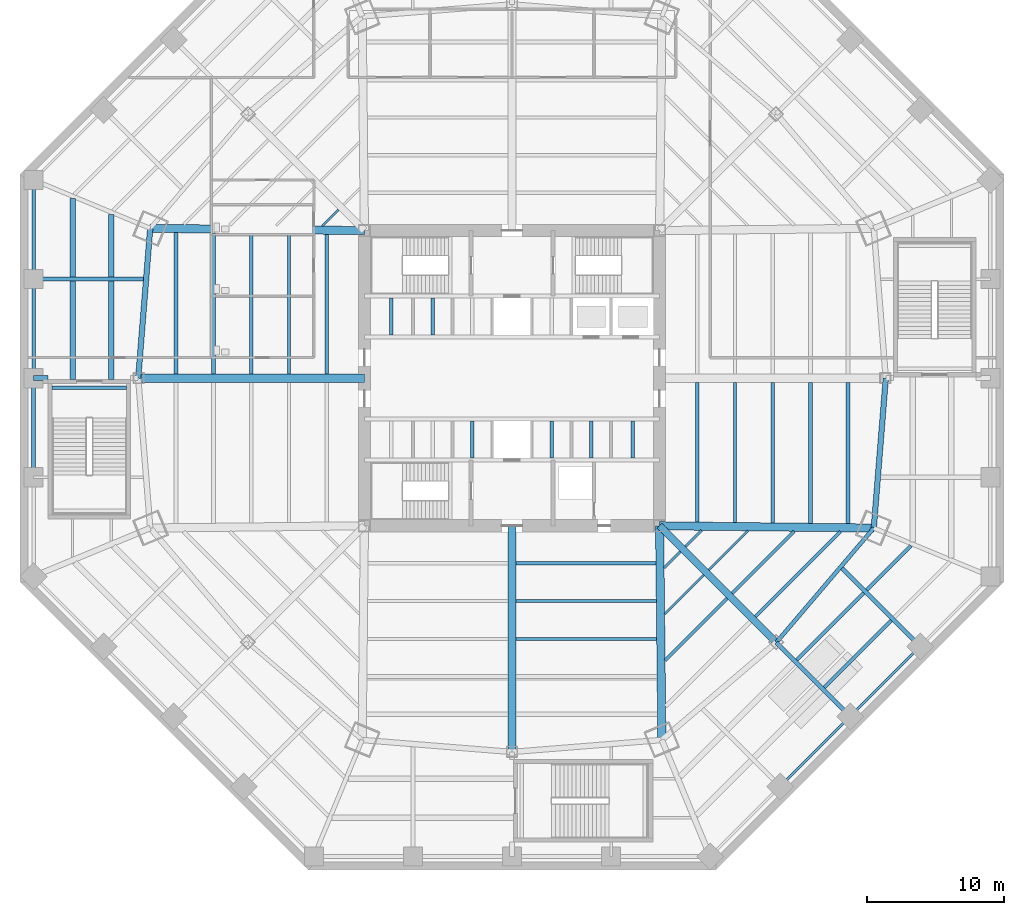
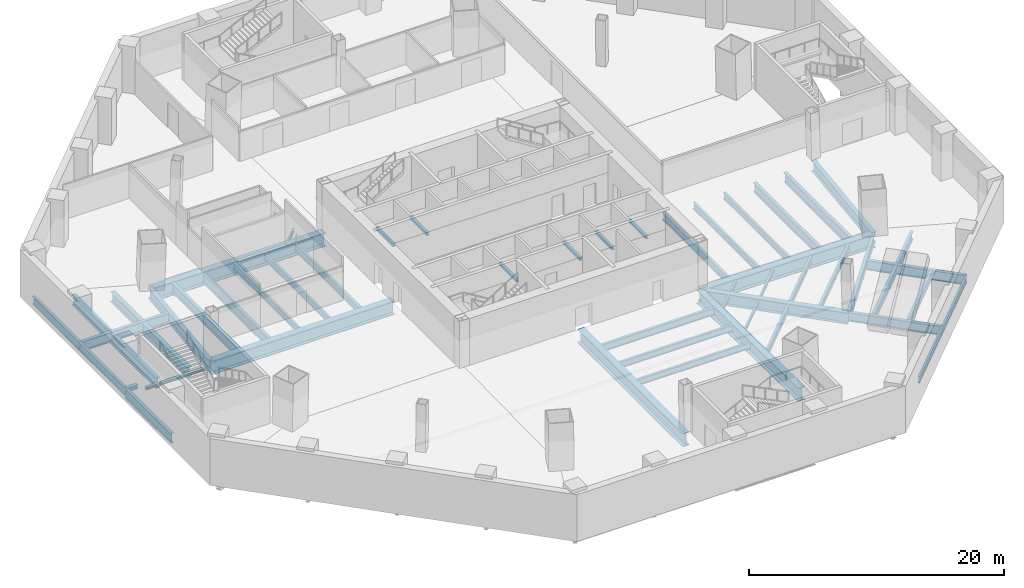
# One storey, part 3 of 15: 52 beams, 1 member.
"""IFC4 building model written with IfcOpenShell, lengths in metres."""

from ifc_helpers import new_model, si_unit, direction, frame, origin, origin_2d, place, context, subcontext, project, spatial, i_section, extrude, source, transform, mapped, material, material_profile, profile_set, type_object, type_shapes, element, save


model = new_model("IFC4")

# Units and contexts
model_context = context("Model", 3, precision=1e-05, world=origin(), true_north=direction((0.0, 1.0)))
body_context = subcontext(model_context, "Body", "Model", "MODEL_VIEW")
ifc_project = project(units=[si_unit("LENGTHUNIT", "METRE"), si_unit("AREAUNIT", "SQUARE_METRE"), si_unit("VOLUMEUNIT", "CUBIC_METRE"), si_unit("PLANEANGLEUNIT", "RADIAN"), si_unit("MASSUNIT", "GRAM", prefix="KILO")], contexts=[model_context])

# Site, building, storey
site_placement = place(None, origin())
site = spatial("IfcSite", under=ifc_project, at=site_placement, CompositionType="ELEMENT")
building_placement = place(site_placement, origin())
building = spatial("IfcBuilding", under=site, at=building_placement, Name="Mashrafa Tower", CompositionType="ELEMENT")
storey_placement = place(building_placement, frame((0.0, 0.0, -4.5)))
storey = spatial("IfcBuildingStorey", under=building, at=storey_placement, Name="B1", CompositionType="ELEMENT", Elevation=-4.5)

# Beams
ifc_material_1 = material(Name="Steel ASTM A572 Gr 50", Category="steel")
ifc_material_profile_1 = material_profile(ifc_material_1, i_section(OverallWidth=0.5, OverallDepth=1.10009765625, WebThickness=0.02490234375, FlangeThickness=0.050048828125, at=origin_2d()), Name="H1100X500X25X50")
ifc_profile_set_1 = profile_set([ifc_material_profile_1], Name="Steel ASTM A572 Gr 50")
beam_type_1 = type_object("IfcBeamType", Name="Beam H1100X500X25X50", PredefinedType="BEAM", material=ifc_profile_set_1)
beam_1_placement = place(storey_placement, frame((10.800048828125, -10.800048828125, -0.85009765625), z_axis=(0.707106781187, -0.707106781187, 0.0), x_axis=(0.707106781187, 0.707106781187, 0.0)))
element("IfcBeam", 1, at=beam_1_placement, inside=storey, type_object=beam_type_1, Name="Radial girder B1 203", PredefinedType="BEAM", context=body_context, shape_type="SweptSolid", body=[
    extrude(i_section(OverallWidth=0.5, OverallDepth=1.10009765625, WebThickness=0.02490234375, FlangeThickness=0.050048828125, at=origin_2d()), origin(), (0.0, 0.0, 1.0), 12.07666015625),
])
ifc_material_2 = material(Name="Steel ASTM A572 Gr 50", Category="steel")
ifc_material_profile_2 = material_profile(ifc_material_2, i_section(OverallWidth=0.60009765625, OverallDepth=1.300048828125, WebThickness=0.028076171875, FlangeThickness=0.06494140625, at=origin_2d()), Name="H1300X600X28X65")
ifc_profile_set_2 = profile_set([ifc_material_profile_2], Name="Steel ASTM A572 Gr 50")
beam_type_2 = type_object("IfcBeamType", Name="Beam H1300X600X28X65", PredefinedType="BEAM", material=ifc_profile_set_2)
beam_2_placement = place(storey_placement, frame((-10.800048828125, 0.0, -0.949951171875), z_axis=(-1.0, 0.0, 0.0), x_axis=(0.0, -1.0, 0.0)))
element("IfcBeam", 2, at=beam_2_placement, inside=storey, type_object=beam_type_2, Name="Radial girder B1 196", PredefinedType="BEAM", context=body_context, shape_type="SweptSolid", body=[
    extrude(i_section(OverallWidth=0.60009765625, OverallDepth=1.300048828125, WebThickness=0.028076171875, FlangeThickness=0.06494140625, at=origin_2d()), origin(), (0.0, 0.0, 1.0), 16.550537109375),
])
beam_3_placement = place(storey_placement, frame((-10.800048828125, 10.800048828125, -0.949951171875), z_axis=(-0.999944558062, 0.010529995346, 0.0), x_axis=(-0.010529995346, -0.999944558062, 0.0)))
element("IfcBeam", 3, at=beam_3_placement, inside=storey, type_object=beam_type_2, Name="Radial girder B1 197", PredefinedType="BEAM", context=body_context, shape_type="SweptSolid", body=[
    extrude(i_section(OverallWidth=0.60009765625, OverallDepth=1.300048828125, WebThickness=0.028076171875, FlangeThickness=0.06494140625, at=origin_2d()), origin(), (0.0, 0.0, 1.0), 15.67333984375),
])
beam_4_placement = place(storey_placement, frame((0.0, -10.800048828125, -0.949951171875), z_axis=(0.0, -1.0, 0.0), x_axis=(1.0, 0.0, 0.0)))
element("IfcBeam", 4, at=beam_4_placement, inside=storey, type_object=beam_type_2, Name="Radial girder B1 200", PredefinedType="BEAM", context=body_context, shape_type="SweptSolid", body=[
    extrude(i_section(OverallWidth=0.60009765625, OverallDepth=1.300048828125, WebThickness=0.028076171875, FlangeThickness=0.06494140625, at=origin_2d()), origin(), (0.0, 0.0, 1.0), 16.550537109375),
])
for number, where, z_axis, x_axis, name in (
    (5, (10.800048828125, -10.800048828125, -0.949951171875), (0.010529995346, -0.999944558062, 0.0), (0.999944558062, 0.010529995346, 0.0), "Radial girder B1 202"),
    (6, (10.800048828125, -10.800048828125, -0.949951171875), (0.999944558062, -0.010529995346, 0.0), (0.010529995346, 0.999944558062, 0.0), "Radial girder B1 204"),
):
    element("IfcBeam", number, at=place(storey_placement, frame(where, z_axis=z_axis, x_axis=x_axis)), inside=storey, type_object=beam_type_2, Name=name, PredefinedType="BEAM", context=body_context, shape_type="SweptSolid", body=[
        extrude(i_section(OverallWidth=0.60009765625, OverallDepth=1.300048828125, WebThickness=0.028076171875, FlangeThickness=0.06494140625, at=origin_2d()), origin(), (0.0, 0.0, 1.0), 15.67333984375),
    ])
ifc_material_3 = material(Name="Steel ASTM A992", Category="steel")
ifc_material_profile_3 = material_profile(ifc_material_3, i_section(OverallWidth=0.164794921875, OverallDepth=0.309814453125, WebThickness=0.005859375, FlangeThickness=0.009765625, FilletRadius=0.007568359375, at=origin_2d()), Name="W12X26")
ifc_profile_set_3 = profile_set([ifc_material_profile_3], Name="Steel ASTM A992")
beam_type_3 = type_object("IfcBeamType", Name="Beam W12X26", PredefinedType="BEAM", material=ifc_profile_set_3)
for number, where, z_axis, x_axis, name in (
    (7, (-13.88330078125, 11.132568359375, -0.454833984375), (0.707106781187, 0.707106781187, 0.0), (-0.707106781187, 0.707106781187, 0.0), "Floor beam B1 028"),
    (8, (12.3310546875, -12.684814453125, -0.454833984375), (-0.707106781187, -0.707106781187, 0.0), (0.707106781187, -0.707106781187, 0.0), "Floor beam B1 071"),
    (9, (13.88330078125, -11.132568359375, -0.454833984375), (-0.707106781187, -0.707106781187, 0.0), (0.707106781187, -0.707106781187, 0.0), "Floor beam B1 077"),
):
    element("IfcBeam", number, at=place(storey_placement, frame(where, z_axis=z_axis, x_axis=x_axis)), inside=storey, type_object=beam_type_3, Name=name, PredefinedType="BEAM", context=body_context, shape_type="SweptSolid", body=[
        extrude(i_section(OverallWidth=0.164794921875, OverallDepth=0.309814453125, WebThickness=0.005859375, FlangeThickness=0.009765625, FilletRadius=0.007568359375, at=origin_2d()), origin(), (0.0, 0.0, 1.0), 1.69482421875),
    ])
for number, where, z_axis, x_axis, name in (
    (10, (14.0390625, -14.392578125, -0.454833984375), (-0.707076715205, -0.707136845889, 0.0), (0.707136845889, -0.707076715205, 0.0), "Floor beam B1 078"),
    (11, (17.263671875, -11.168212890625, -0.454833984375), (-0.707136845889, -0.707076715205, 0.0), (0.707076715205, -0.707136845889, 0.0), "Floor beam B1 084"),
):
    element("IfcBeam", number, at=place(storey_placement, frame(where, z_axis=z_axis, x_axis=x_axis)), inside=storey, type_object=beam_type_3, Name=name, PredefinedType="BEAM", context=body_context, shape_type="SweptSolid", body=[
        extrude(i_section(OverallWidth=0.164794921875, OverallDepth=0.309814453125, WebThickness=0.005859375, FlangeThickness=0.009765625, FilletRadius=0.007568359375, at=origin_2d()), origin(), (0.0, 0.0, 1.0), 4.06005859375),
    ])
ifc_material_4 = material(Name="Steel ASTM A992", Category="steel")
ifc_material_profile_4 = material_profile(ifc_material_4, i_section(OverallWidth=0.177978515625, OverallDepth=0.599365234375, WebThickness=0.010009765625, FlangeThickness=0.012939453125, FilletRadius=0.012939453125, at=origin_2d()), Name="W24X55")
ifc_profile_set_4 = profile_set([ifc_material_profile_4], Name="Steel ASTM A992")
beam_type_4 = type_object("IfcBeamType", Name="Beam W24X55", PredefinedType="BEAM", material=ifc_profile_set_4)
for number, where, z_axis, x_axis, name in (
    (12, (19.623046875, -29.87451171875, -0.599609375), (0.707106781187, 0.707106781187, 0.0), (-0.707106781187, 0.707106781187, 0.0), "Podium edge beam B1 126"),
    (13, (24.748779296875, -24.748779296875, -0.599609375), (0.707106781187, 0.707106781187, 0.0), (-0.707106781187, 0.707106781187, 0.0), "Podium edge beam B1 128"),
):
    element("IfcBeam", number, at=place(storey_placement, frame(where, z_axis=z_axis, x_axis=x_axis)), inside=storey, type_object=beam_type_4, Name=name, PredefinedType="BEAM", context=body_context, shape_type="SweptSolid", body=[
        extrude(i_section(OverallWidth=0.177978515625, OverallDepth=0.599365234375, WebThickness=0.010009765625, FlangeThickness=0.012939453125, FilletRadius=0.012939453125, at=origin_2d()), origin(), (0.0, 0.0, 1.0), 7.248779296875),
    ])
ifc_material_5 = material(Name="Steel ASTM A992", Category="steel")
ifc_material_profile_5 = material_profile(ifc_material_5, i_section(OverallWidth=0.227783203125, OverallDepth=0.60205078125, WebThickness=0.010498046875, FlangeThickness=0.014892578125, FilletRadius=0.012939453125, at=origin_2d()), Name="W24X68")
ifc_profile_set_5 = profile_set([ifc_material_profile_5], Name="Steel ASTM A992")
beam_type_5 = type_object("IfcBeamType", Name="Beam W24X68", PredefinedType="BEAM", material=ifc_profile_set_5)
beam_5_placement = place(storey_placement, frame((24.024169921875, -11.239501953125, -0.60107421875), z_axis=(-0.707106781187, -0.707106781187, 0.0), x_axis=(0.707106781187, -0.707106781187, 0.0)))
element("IfcBeam", 14, at=beam_5_placement, inside=storey, type_object=beam_type_5, Name="Floor beam B1 096", PredefinedType="BEAM", context=body_context, shape_type="SweptSolid", body=[
    extrude(i_section(OverallWidth=0.227783203125, OverallDepth=0.60205078125, WebThickness=0.010498046875, FlangeThickness=0.014892578125, FilletRadius=0.012939453125, at=origin_2d()), origin(), (0.0, 0.0, 1.0), 8.7900390625),
])
ifc_material_6 = material(Name="Steel ASTM A992", Category="steel")
ifc_material_profile_6 = material_profile(ifc_material_6, i_section(OverallWidth=0.228271484375, OverallDepth=0.607177734375, WebThickness=0.01123046875, FlangeThickness=0.017333984375, FilletRadius=0.0126953125, at=origin_2d()), Name="W24X76")
ifc_profile_set_6 = profile_set([ifc_material_profile_6], Name="Steel ASTM A992")
beam_type_6 = type_object("IfcBeamType", Name="Beam W24X76", PredefinedType="BEAM", material=ifc_profile_set_6)
beam_6_placement = place(storey_placement, frame((-19.0751953125, 0.300048828125, -0.603515625), z_axis=(0.0, 1.0, 0.0), x_axis=(-1.0, 0.0, 0.0)))
element("IfcBeam", 15, at=beam_6_placement, inside=storey, type_object=beam_type_6, Name="Floor beam B1 018", PredefinedType="BEAM", context=body_context, shape_type="SweptSolid", body=[
    extrude(i_section(OverallWidth=0.228271484375, OverallDepth=0.607177734375, WebThickness=0.01123046875, FlangeThickness=0.017333984375, FilletRadius=0.0126953125, at=origin_2d()), origin(), (0.0, 0.0, 1.0), 10.287109375),
])
for number, where, z_axis, x_axis, name in (
    (16, (-16.31689453125, 0.300048828125, -0.603515625), (0.0, 1.0, 0.0), (-1.0, 0.0, 0.0), "Floor beam B1 023"),
    (17, (10.55810546875, -16.31689453125, -0.603515625), (-1.0, 0.0, 0.0), (0.0, -1.0, 0.0), "Floor beam B1 062"),
):
    element("IfcBeam", number, at=place(storey_placement, frame(where, z_axis=z_axis, x_axis=x_axis)), inside=storey, type_object=beam_type_6, Name=name, PredefinedType="BEAM", context=body_context, shape_type="SweptSolid", body=[
        extrude(i_section(OverallWidth=0.228271484375, OverallDepth=0.607177734375, WebThickness=0.01123046875, FlangeThickness=0.017333984375, FilletRadius=0.0126953125, at=origin_2d()), origin(), (0.0, 0.0, 1.0), 10.258056640625),
    ])
beam_7_placement = place(storey_placement, frame((10.587158203125, -19.0751953125, -0.603515625), z_axis=(-1.0, 0.0, 0.0), x_axis=(0.0, -1.0, 0.0)))
element("IfcBeam", 18, at=beam_7_placement, inside=storey, type_object=beam_type_6, Name="Floor beam B1 064", PredefinedType="BEAM", context=body_context, shape_type="SweptSolid", body=[
    extrude(i_section(OverallWidth=0.228271484375, OverallDepth=0.607177734375, WebThickness=0.01123046875, FlangeThickness=0.017333984375, FilletRadius=0.0126953125, at=origin_2d()), origin(), (0.0, 0.0, 1.0), 10.287109375),
])
beam_8_placement = place(storey_placement, frame((15.7470703125, -16.1005859375, -0.603515625), z_axis=(-0.707106781187, -0.707106781187, 0.0), x_axis=(0.707106781187, -0.707106781187, 0.0)))
element("IfcBeam", 19, at=beam_8_placement, inside=storey, type_object=beam_type_6, Name="Floor beam B1 080", PredefinedType="BEAM", context=body_context, shape_type="SweptSolid", body=[
    extrude(i_section(OverallWidth=0.228271484375, OverallDepth=0.607177734375, WebThickness=0.01123046875, FlangeThickness=0.017333984375, FilletRadius=0.0126953125, at=origin_2d()), origin(), (0.0, 0.0, 1.0), 6.425048828125),
])
beam_9_placement = place(storey_placement, frame((16.31689453125, -0.300048828125, -0.603515625), z_axis=(0.0, -1.0, 0.0), x_axis=(1.0, 0.0, 0.0)))
element("IfcBeam", 20, at=beam_9_placement, inside=storey, type_object=beam_type_6, Name="Floor beam B1 082", PredefinedType="BEAM", context=body_context, shape_type="SweptSolid", body=[
    extrude(i_section(OverallWidth=0.228271484375, OverallDepth=0.607177734375, WebThickness=0.01123046875, FlangeThickness=0.017333984375, FilletRadius=0.0126953125, at=origin_2d()), origin(), (0.0, 0.0, 1.0), 10.258056640625),
])
beam_10_placement = place(storey_placement, frame((19.0751953125, -0.300048828125, -0.603515625), z_axis=(0.0, -1.0, 0.0), x_axis=(1.0, 0.0, 0.0)))
element("IfcBeam", 21, at=beam_10_placement, inside=storey, type_object=beam_type_6, Name="Floor beam B1 087", PredefinedType="BEAM", context=body_context, shape_type="SweptSolid", body=[
    extrude(i_section(OverallWidth=0.228271484375, OverallDepth=0.607177734375, WebThickness=0.01123046875, FlangeThickness=0.017333984375, FilletRadius=0.0126953125, at=origin_2d()), origin(), (0.0, 0.0, 1.0), 10.287109375),
])
beam_11_placement = place(storey_placement, frame((20.643798828125, -11.203857421875, -0.603515625), z_axis=(-0.707106781187, -0.707106781187, 0.0), x_axis=(0.707106781187, -0.707106781187, 0.0)))
element("IfcBeam", 22, at=beam_11_placement, inside=storey, type_object=beam_type_6, Name="Floor beam B1 091", PredefinedType="BEAM", context=body_context, shape_type="SweptSolid", body=[
    extrude(i_section(OverallWidth=0.228271484375, OverallDepth=0.607177734375, WebThickness=0.01123046875, FlangeThickness=0.017333984375, FilletRadius=0.0126953125, at=origin_2d()), origin(), (0.0, 0.0, 1.0), 6.425048828125),
])
ifc_material_7 = material(Name="Steel ASTM A992", Category="steel")
ifc_material_profile_7 = material_profile(ifc_material_7, i_section(OverallWidth=0.25390625, OverallDepth=0.683349609375, WebThickness=0.012451171875, FlangeThickness=0.01904296875, FilletRadius=0.01513671875, at=origin_2d()), Name="W27X94")
ifc_profile_set_7 = profile_set([ifc_material_profile_7], Name="Steel ASTM A992")
beam_type_7 = type_object("IfcBeamType", Name="Beam W27X94", PredefinedType="BEAM", material=ifc_profile_set_7)
for number, where, z_axis, x_axis, name in (
    (23, (-13.558349609375, 0.300048828125, -0.6416015625), (0.0, 1.0, 0.0), (-1.0, 0.0, 0.0), "Floor beam B1 030"),
    (24, (10.529052734375, -13.558349609375, -0.6416015625), (-1.0, 0.0, 0.0), (0.0, -1.0, 0.0), "Floor beam B1 060"),
    (25, (13.558349609375, -0.300048828125, -0.6416015625), (0.0, -1.0, 0.0), (1.0, 0.0, 0.0), "Floor beam B1 075"),
):
    element("IfcBeam", number, at=place(storey_placement, frame(where, z_axis=z_axis, x_axis=x_axis)), inside=storey, type_object=beam_type_7, Name=name, PredefinedType="BEAM", context=body_context, shape_type="SweptSolid", body=[
        extrude(i_section(OverallWidth=0.25390625, OverallDepth=0.683349609375, WebThickness=0.012451171875, FlangeThickness=0.01904296875, FilletRadius=0.01513671875, at=origin_2d()), origin(), (0.0, 0.0, 1.0), 10.22900390625),
    ])
ifc_material_8 = material(Name="Steel ASTM A992", Category="steel")
ifc_material_profile_8 = material_profile(ifc_material_8, i_section(OverallWidth=0.2666015625, OverallDepth=0.75439453125, WebThickness=0.01318359375, FlangeThickness=0.01708984375, FilletRadius=0.0166015625, at=origin_2d()), Name="W30X99")
ifc_profile_set_8 = profile_set([ifc_material_profile_8], Name="Steel ASTM A992")
beam_type_8 = type_object("IfcBeamType", Name="Beam W30X99", PredefinedType="BEAM", material=ifc_profile_set_8)
beam_12_placement = place(storey_placement, frame((29.197265625, -12.26025390625, -0.67724609375), z_axis=(-0.707106781187, -0.707106781187, 0.0), x_axis=(0.707106781187, -0.707106781187, 0.0)))
element("IfcBeam", 26, at=beam_12_placement, inside=storey, type_object=beam_type_8, Name="Floor beam B1 099 part 1", PredefinedType="BEAM", context=body_context, shape_type="SweptSolid", body=[
    extrude(i_section(OverallWidth=0.2666015625, OverallDepth=0.75439453125, WebThickness=0.01318359375, FlangeThickness=0.01708984375, FilletRadius=0.0166015625, at=origin_2d()), origin(), (0.0, 0.0, 1.0), 4.57373046875),
])
beam_13_placement = place(storey_placement, frame((25.74560546875, -15.7119140625, -0.67724609375), z_axis=(-0.707106781187, -0.707106781187, 0.0), x_axis=(0.707106781187, -0.707106781187, 0.0)))
element("IfcBeam", 27, at=beam_13_placement, inside=storey, type_object=beam_type_8, Name="Floor beam B1 099 part 2", PredefinedType="BEAM", context=body_context, shape_type="SweptSolid", body=[
    extrude(i_section(OverallWidth=0.2666015625, OverallDepth=0.75439453125, WebThickness=0.01318359375, FlangeThickness=0.01708984375, FilletRadius=0.0166015625, at=origin_2d()), origin(), (0.0, 0.0, 1.0), 6.94873046875),
])
beam_14_placement = place(storey_placement, frame((27.755615234375, -17.7216796875, -0.67724609375), z_axis=(-0.707089214407, -0.707124347529, 0.0), x_axis=(0.707124347529, -0.707089214407, 0.0)))
element("IfcBeam", 28, at=beam_14_placement, inside=storey, type_object=beam_type_8, Name="Floor beam B1 102 part 2", PredefinedType="BEAM", context=body_context, shape_type="SweptSolid", body=[
    extrude(i_section(OverallWidth=0.2666015625, OverallDepth=0.75439453125, WebThickness=0.01318359375, FlangeThickness=0.01708984375, FilletRadius=0.0166015625, at=origin_2d()), origin(), (0.0, 0.0, 1.0), 6.948974609375),
])
for number, where, z_axis, x_axis, name in (
    (29, (-35.0, 7.248779296875, -0.67724609375), (0.0, -1.0, 0.0), (1.0, 0.0, 0.0), "Podium edge beam B1 108"),
    (30, (-35.0, 14.49755859375, -0.67724609375), (0.0, -1.0, 0.0), (1.0, 0.0, 0.0), "Podium edge beam B1 109"),
):
    element("IfcBeam", number, at=place(storey_placement, frame(where, z_axis=z_axis, x_axis=x_axis)), inside=storey, type_object=beam_type_8, Name=name, PredefinedType="BEAM", context=body_context, shape_type="SweptSolid", body=[
        extrude(i_section(OverallWidth=0.2666015625, OverallDepth=0.75439453125, WebThickness=0.01318359375, FlangeThickness=0.01708984375, FilletRadius=0.0166015625, at=origin_2d()), origin(), (0.0, 0.0, 1.0), 7.248779296875),
    ])
ifc_material_9 = material(Name="Steel ASTM A992", Category="steel")
ifc_material_profile_9 = material_profile(ifc_material_9, i_section(OverallWidth=0.2919921875, OverallDepth=0.8408203125, WebThickness=0.0146484375, FlangeThickness=0.021728515625, FilletRadius=0.017333984375, at=origin_2d()), Name="W33X130")
ifc_profile_set_9 = profile_set([ifc_material_profile_9], Name="Steel ASTM A992")
beam_type_9 = type_object("IfcBeamType", Name="Beam W33X130", PredefinedType="BEAM", material=ifc_profile_set_9)
beam_15_placement = place(storey_placement, frame((19.339599609375, -19.339599609375, -0.720458984375), z_axis=(0.648412151633, 0.76128948608, 0.0), x_axis=(-0.76128948608, 0.648412151633, 0.0)))
element("IfcBeam", 31, at=beam_15_placement, inside=storey, type_object=beam_type_9, Name="Podium ring girder B1 188", PredefinedType="BEAM", context=body_context, shape_type="SweptSolid", body=[
    extrude(i_section(OverallWidth=0.2919921875, OverallDepth=0.8408203125, WebThickness=0.0146484375, FlangeThickness=0.021728515625, FilletRadius=0.017333984375, at=origin_2d()), origin(), (0.0, 0.0, 1.0), 11.00048828125),
])
ifc_material_10 = material(Name="Steel ASTM A992", Category="steel")
ifc_material_profile_10 = material_profile(ifc_material_10, i_section(OverallWidth=0.2919921875, OverallDepth=0.8583984375, WebThickness=0.01708984375, FlangeThickness=0.031005859375, FilletRadius=0.017822265625, at=origin_2d()), Name="W33X169")
ifc_profile_set_10 = profile_set([ifc_material_profile_10], Name="Steel ASTM A992")
beam_type_10 = type_object("IfcBeamType", Name="Beam W33X169", PredefinedType="BEAM", material=ifc_profile_set_10)
beam_16_placement = place(storey_placement, frame((19.339599609375, -19.339599609375, -0.729248046875), z_axis=(0.707106781187, -0.707106781187, 0.0), x_axis=(0.707106781187, 0.707106781187, 0.0)))
element("IfcBeam", 32, at=beam_16_placement, inside=storey, type_object=beam_type_10, Name="Podium radial beam B1 166", PredefinedType="BEAM", context=body_context, shape_type="SweptSolid", body=[
    extrude(i_section(OverallWidth=0.2919921875, OverallDepth=0.8583984375, WebThickness=0.01708984375, FlangeThickness=0.031005859375, FilletRadius=0.017822265625, at=origin_2d()), origin(), (0.0, 0.0, 1.0), 7.649658203125),
])
ifc_material_11 = material(Name="Steel ASTM A992", Category="steel")
ifc_material_profile_11 = material_profile(ifc_material_11, i_section(OverallWidth=0.3046875, OverallDepth=0.911865234375, WebThickness=0.015869140625, FlangeThickness=0.02392578125, FilletRadius=0.01904296875, at=origin_2d()), Name="W36X150")
ifc_profile_set_11 = profile_set([ifc_material_profile_11], Name="Steel ASTM A992")
beam_type_11 = type_object("IfcBeamType", Name="Beam W36X150", PredefinedType="BEAM", material=ifc_profile_set_11)
for number, where, z_axis, x_axis, name in (
    (33, (-21.833740234375, 0.300048828125, -0.755859375), (0.0, 1.0, 0.0), (-1.0, 0.0, 0.0), "Floor beam B1 013"),
    (34, (21.833740234375, -0.300048828125, -0.755859375), (0.0, -1.0, 0.0), (1.0, 0.0, 0.0), "Floor beam B1 092"),
):
    element("IfcBeam", number, at=place(storey_placement, frame(where, z_axis=z_axis, x_axis=x_axis)), inside=storey, type_object=beam_type_11, Name=name, PredefinedType="BEAM", context=body_context, shape_type="SweptSolid", body=[
        extrude(i_section(OverallWidth=0.3046875, OverallDepth=0.911865234375, WebThickness=0.015869140625, FlangeThickness=0.02392578125, FilletRadius=0.01904296875, at=origin_2d()), origin(), (0.0, 0.0, 1.0), 10.316162109375),
    ])
beam_17_placement = place(storey_placement, frame((-35.0, 0.0, -0.755859375), z_axis=(0.0, -1.0, 0.0), x_axis=(1.0, 0.0, 0.0)))
element("IfcBeam", 35, at=beam_17_placement, inside=storey, type_object=beam_type_11, Name="Podium edge beam B1 107", PredefinedType="BEAM", context=body_context, shape_type="SweptSolid", body=[
    extrude(i_section(OverallWidth=0.3046875, OverallDepth=0.911865234375, WebThickness=0.015869140625, FlangeThickness=0.02392578125, FilletRadius=0.01904296875, at=origin_2d()), origin(), (0.0, 0.0, 1.0), 7.248779296875),
])
ifc_material_12 = material(Name="Steel ASTM A992", Category="steel")
ifc_material_profile_12 = material_profile(ifc_material_12, i_section(OverallWidth=0.307373046875, OverallDepth=0.927001953125, WebThickness=0.01953125, FlangeThickness=0.031982421875, FilletRadius=0.01904296875, at=origin_2d()), Name="W36X194")
ifc_profile_set_12 = profile_set([ifc_material_profile_12], Name="Steel ASTM A992")
beam_type_12 = type_object("IfcBeamType", Name="Beam W36X194", PredefinedType="BEAM", material=ifc_profile_set_12)
for number, where, z_axis, x_axis, name in (
    (36, (-24.592041015625, 0.300048828125, -0.763671875), (0.0, 1.0, 0.0), (-1.0, 0.0, 0.0), "Floor beam B1 008"),
    (37, (24.592041015625, -0.300048828125, -0.763671875), (0.0, -1.0, 0.0), (1.0, 0.0, 0.0), "Floor beam B1 097"),
):
    element("IfcBeam", number, at=place(storey_placement, frame(where, z_axis=z_axis, x_axis=x_axis)), inside=storey, type_object=beam_type_12, Name=name, PredefinedType="BEAM", context=body_context, shape_type="SweptSolid", body=[
        extrude(i_section(OverallWidth=0.307373046875, OverallDepth=0.927001953125, WebThickness=0.01953125, FlangeThickness=0.031982421875, FilletRadius=0.01904296875, at=origin_2d()), origin(), (0.0, 0.0, 1.0), 10.345458984375),
    ])
beam_18_placement = place(storey_placement, frame((-26.97119140625, 7.248779296875, -0.763671875), z_axis=(-1.0, 0.0, 0.0), x_axis=(0.0, -1.0, 0.0)))
element("IfcBeam", 38, at=beam_18_placement, inside=storey, type_object=beam_type_12, Name="Podium radial beam B1 141", PredefinedType="BEAM", context=body_context, shape_type="SweptSolid", body=[
    extrude(i_section(OverallWidth=0.307373046875, OverallDepth=0.927001953125, WebThickness=0.01953125, FlangeThickness=0.031982421875, FilletRadius=0.01904296875, at=origin_2d()), origin(), (0.0, 0.0, 1.0), 8.02880859375),
])
beam_19_placement = place(storey_placement, frame((24.158447265625, -13.9072265625, -0.763671875), z_axis=(0.707121882078, -0.707091679973, 0.0), x_axis=(0.707091679973, 0.707121882078, 0.0)))
element("IfcBeam", 39, at=beam_19_placement, inside=storey, type_object=beam_type_12, Name="Podium radial beam B1 168", PredefinedType="BEAM", context=body_context, shape_type="SweptSolid", body=[
    extrude(i_section(OverallWidth=0.307373046875, OverallDepth=0.927001953125, WebThickness=0.01953125, FlangeThickness=0.031982421875, FilletRadius=0.01904296875, at=origin_2d()), origin(), (0.0, 0.0, 1.0), 8.08349609375),
])
ifc_material_13 = material(Name="Steel ASTM A992", Category="steel")
ifc_material_profile_13 = material_profile(ifc_material_13, i_section(OverallWidth=0.419189453125, OverallDepth=0.927001953125, WebThickness=0.019287109375, FlangeThickness=0.031982421875, FilletRadius=0.020263671875, at=origin_2d()), Name="W36X231")
ifc_profile_set_13 = profile_set([ifc_material_profile_13], Name="Steel ASTM A992")
beam_type_13 = type_object("IfcBeamType", Name="Beam W36X231", PredefinedType="BEAM", material=ifc_profile_set_13)
beam_20_placement = place(storey_placement, frame((-29.31494140625, -0.10009765625, -0.763671875), z_axis=(0.0, 1.0, 0.0), x_axis=(-1.0, 0.0, 0.0)))
element("IfcBeam", 40, at=beam_20_placement, inside=storey, type_object=beam_type_13, Name="Floor beam B1 005 part 1", PredefinedType="BEAM", context=body_context, shape_type="SweptSolid", body=[
    extrude(i_section(OverallWidth=0.419189453125, OverallDepth=0.927001953125, WebThickness=0.019287109375, FlangeThickness=0.031982421875, FilletRadius=0.020263671875, at=origin_2d()), origin(), (0.0, 0.0, 1.0), 7.195068359375),
])
beam_21_placement = place(storey_placement, frame((-29.31494140625, 7.40234375, -0.763671875), z_axis=(0.0, 1.0, 0.0), x_axis=(-1.0, 0.0, 0.0)))
element("IfcBeam", 41, at=beam_21_placement, inside=storey, type_object=beam_type_13, Name="Floor beam B1 005 part 2", PredefinedType="BEAM", context=body_context, shape_type="SweptSolid", body=[
    extrude(i_section(OverallWidth=0.419189453125, OverallDepth=0.927001953125, WebThickness=0.019287109375, FlangeThickness=0.031982421875, FilletRadius=0.020263671875, at=origin_2d()), origin(), (0.0, 0.0, 1.0), 4.573974609375),
])
ifc_material_14 = material(Name="Steel ASTM A992", Category="steel")
ifc_material_profile_14 = material_profile(ifc_material_14, i_section(OverallWidth=0.4013671875, OverallDepth=0.98291015625, WebThickness=0.0166015625, FlangeThickness=0.027099609375, FilletRadius=0.0126953125, at=origin_2d()), Name="W40X199")
ifc_profile_set_14 = profile_set([ifc_material_profile_14], Name="Steel ASTM A992")
beam_type_14 = type_object("IfcBeamType", Name="Beam W40X199", PredefinedType="BEAM", material=ifc_profile_set_14)
beam_22_placement = place(storey_placement, frame((-32.157470703125, -0.10009765625, -0.79150390625), z_axis=(0.0, 1.0, 0.0), x_axis=(-1.0, 0.0, 0.0)))
element("IfcBeam", 42, at=beam_22_placement, inside=storey, type_object=beam_type_14, Name="Floor beam B1 002 part 1", PredefinedType="BEAM", context=body_context, shape_type="SweptSolid", body=[
    extrude(i_section(OverallWidth=0.4013671875, OverallDepth=0.98291015625, WebThickness=0.0166015625, FlangeThickness=0.027099609375, FilletRadius=0.0126953125, at=origin_2d()), origin(), (0.0, 0.0, 1.0), 7.195068359375),
])
beam_23_placement = place(storey_placement, frame((-32.157470703125, 7.40234375, -0.79150390625), z_axis=(0.0, 1.0, 0.0), x_axis=(-1.0, 0.0, 0.0)))
element("IfcBeam", 43, at=beam_23_placement, inside=storey, type_object=beam_type_14, Name="Floor beam B1 002 part 2", PredefinedType="BEAM", context=body_context, shape_type="SweptSolid", body=[
    extrude(i_section(OverallWidth=0.4013671875, OverallDepth=0.98291015625, WebThickness=0.0166015625, FlangeThickness=0.027099609375, FilletRadius=0.0126953125, at=origin_2d()), origin(), (0.0, 0.0, 1.0), 5.75146484375),
])
ifc_material_15 = material(Name="Steel ASTM A992", Category="steel")
ifc_material_profile_15 = material_profile(ifc_material_15, i_section(OverallWidth=0.4013671875, OverallDepth=1.010986328125, WebThickness=0.023681640625, FlangeThickness=0.0419921875, FilletRadius=0.02001953125, at=origin_2d()), Name="W40X297")
ifc_profile_set_15 = profile_set([ifc_material_profile_15], Name="Steel ASTM A992")
beam_type_15 = type_object("IfcBeamType", Name="Beam W40X297", PredefinedType="BEAM", material=ifc_profile_set_15)
for number, where, z_axis, x_axis, name in (
    (44, (-26.472412109375, 10.965087890625, -0.805419921875), (-0.079832552112, -0.9968082883, 0.0), (0.9968082883, -0.079832552112, 0.0), "Podium ring girder B1 179"),
    (45, (26.472412109375, -10.965087890625, -0.805419921875), (0.079832552112, 0.9968082883, 0.0), (-0.9968082883, 0.079832552112, 0.0), "Podium ring girder B1 190"),
):
    element("IfcBeam", number, at=place(storey_placement, frame(where, z_axis=z_axis, x_axis=x_axis)), inside=storey, type_object=beam_type_15, Name=name, PredefinedType="BEAM", context=body_context, shape_type="SweptSolid", body=[
        extrude(i_section(OverallWidth=0.4013671875, OverallDepth=1.010986328125, WebThickness=0.023681640625, FlangeThickness=0.0419921875, FilletRadius=0.02001953125, at=origin_2d()), origin(), (0.0, 0.0, 1.0), 11.000244140625),
    ])
ifc_material_16 = material(Name="Steel ASTM A992", Category="steel")
ifc_material_profile_16 = material_profile(ifc_material_16, i_section(OverallWidth=0.25390625, OverallDepth=0.25390625, WebThickness=0.008544921875, FlangeThickness=0.01416015625, FilletRadius=0.010009765625, at=origin_2d()), Name="W10X49")
ifc_profile_set_16 = profile_set([ifc_material_profile_16], Name="Steel ASTM A992")
beam_type_16 = type_object("IfcBeamType", Name="Hoistway beam W10X49", PredefinedType="BEAM", material=ifc_profile_set_16)
for number, where, z_axis, x_axis, name in (
    (46, (-8.85009765625, 3.14990234375, 2.27294921875), (0.0, 1.0, 0.0), (-1.0, 0.0, 0.0), "Hoistway beam under lift pit A1"),
    (47, (-5.800048828125, 3.14990234375, 2.27294921875), (0.0, 1.0, 0.0), (-1.0, 0.0, 0.0), "Hoistway beam under lift pit A2"),
    (48, (-2.89990234375, -5.85009765625, 2.27294921875), (0.0, 1.0, 0.0), (-1.0, 0.0, 0.0), "Hoistway beam under lift pit B3"),
    (49, (2.89990234375, -5.85009765625, 2.27294921875), (0.0, 1.0, 0.0), (-1.0, 0.0, 0.0), "Hoistway beam under lift pit B4"),
    (50, (5.800048828125, -5.85009765625, 2.27294921875), (0.0, 1.0, 0.0), (-1.0, 0.0, 0.0), "Hoistway beam under lift pit R1"),
    (51, (8.85009765625, -5.85009765625, 2.27294921875), (0.0, 1.0, 0.0), (-1.0, 0.0, 0.0), "Hoistway beam under lift pit R2"),
):
    element("IfcBeam", number, at=place(storey_placement, frame(where, z_axis=z_axis, x_axis=x_axis)), inside=storey, type_object=beam_type_16, Name=name, PredefinedType="BEAM", context=body_context, shape_type="SweptSolid", body=[
        extrude(i_section(OverallWidth=0.25390625, OverallDepth=0.25390625, WebThickness=0.008544921875, FlangeThickness=0.01416015625, FilletRadius=0.010009765625, at=origin_2d()), origin(), (0.0, 0.0, 1.0), 2.7001953125),
    ])
beam_24_placement = place(storey_placement, frame((-33.64990234375, -0.699951171875, -0.427001953125), z_axis=(1.0, 0.0, 0.0), x_axis=(0.0, 1.0, 0.0)))
element("IfcBeam", 52, at=beam_24_placement, inside=storey, type_object=beam_type_16, Name="Stair P3 landing beam B1", PredefinedType="BEAM", context=body_context, shape_type="SweptSolid", body=[
    extrude(i_section(OverallWidth=0.25390625, OverallDepth=0.25390625, WebThickness=0.008544921875, FlangeThickness=0.01416015625, FilletRadius=0.010009765625, at=origin_2d()), origin(), (0.0, 0.0, 1.0), 5.449951171875),
])

# Member
ifc_material_17 = material(Name="Steel ASTM A992", Category="steel")
ifc_material_profile_17 = material_profile(ifc_material_17, i_section(OverallWidth=0.368408203125, OverallDepth=0.355712890625, WebThickness=0.01123046875, FlangeThickness=0.01806640625, FilletRadius=0.01513671875, at=origin_2d()), Name="W14X90")
ifc_profile_set_17 = profile_set([ifc_material_profile_17], Name="Steel ASTM A992")
member_type = type_object("IfcMemberType", Name="Tie strut W14X90", PredefinedType="STRUT", material=ifc_profile_set_17)
shared_shape = source(origin(), body_context, "Body", "SweptSolid", [
    extrude(i_section(OverallWidth=0.368408203125, OverallDepth=0.355712890625, WebThickness=0.01123046875, FlangeThickness=0.01806640625, FilletRadius=0.01513671875, at=origin_2d()), origin(), (0.0, 0.0, 1.0), 1.050048828125),
])
type_shapes(member_type, [shared_shape])
member_placement = place(storey_placement, frame((-33.949951171875, 0.0, -0.477783203125), z_axis=(-1.0, 0.0, 0.0), x_axis=(0.0, -1.0, 0.0)))
element("IfcMember", 53, at=member_placement, inside=storey, type_object=member_type, Name="Tie strut B1 138", PredefinedType="STRUT", context=body_context, shape_type="MappedRepresentation", body=[
    mapped(shared_shape, transform((0.0, 0.0, 0.0))),
])

save(model, "model.ifc")
